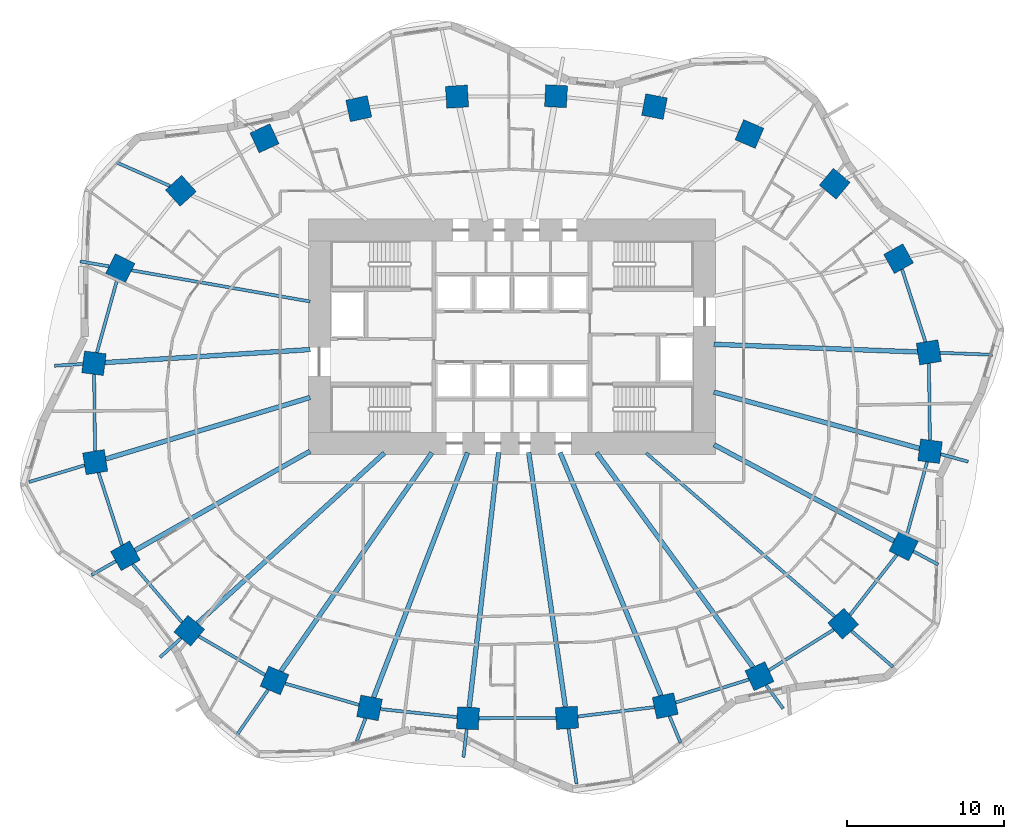
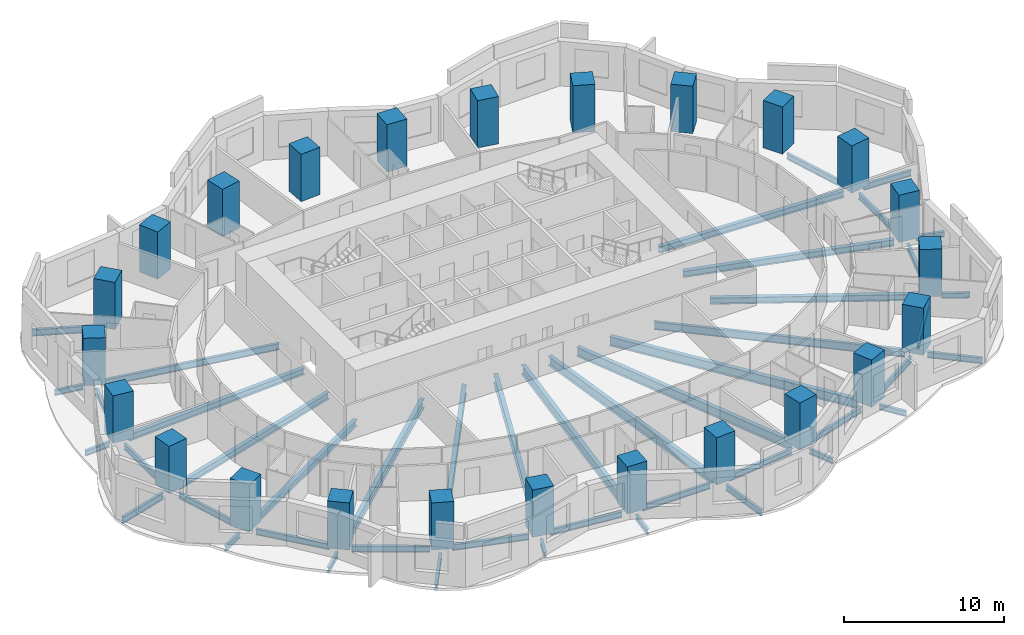
# One storey, part 1 of 11: 46 beams, 24 columns.
"""IFC4 building model written with IfcOpenShell, lengths in metres."""

from ifc_helpers import new_model, si_unit, direction, frame, origin, origin_2d, place, context, subcontext, project, spatial, rectangle, i_section, extrude, material, material_profile, profile_set, type_object, element, save


model = new_model("IFC4")

# Units and contexts
model_context = context("Model", 3, precision=1e-05, world=origin(), true_north=direction((0.0, 1.0)))
body_context = subcontext(model_context, "Body", "Model", "MODEL_VIEW")
ifc_project = project(units=[si_unit("LENGTHUNIT", "METRE"), si_unit("AREAUNIT", "SQUARE_METRE"), si_unit("VOLUMEUNIT", "CUBIC_METRE"), si_unit("PLANEANGLEUNIT", "RADIAN"), si_unit("MASSUNIT", "GRAM", prefix="KILO")], contexts=[model_context])

# Site, building, storey
site_placement = place(None, origin())
site = spatial("IfcSite", under=ifc_project, at=site_placement, CompositionType="ELEMENT")
building_placement = place(site_placement, origin())
building = spatial("IfcBuilding", under=site, at=building_placement, Name="Rubra Terraces Tower", CompositionType="ELEMENT")
storey_placement = place(building_placement, frame((0.0, 0.0, 37.5)))
storey = spatial("IfcBuildingStorey", under=building, at=storey_placement, Name="L06", CompositionType="ELEMENT", Elevation=37.5)

# Columns
ifc_material_1 = material(Name="Concrete C60", Category="concrete")
ifc_material_profile_1 = material_profile(ifc_material_1, rectangle(XDim=1.39990234375, YDim=1.39990234375, at=origin_2d()), Name="RC 1400x1400")
ifc_profile_set_1 = profile_set([ifc_material_profile_1], Name="Concrete C60")
column_type = type_object("IfcColumnType", Name="RING COLUMN RC 1400x1400 C60", PredefinedType="COLUMN", material=ifc_profile_set_1)
for number, where, z_axis, x_axis, name in (
    (1, (26.60498046875, 3.5029296875, 0.0), (0.0, 0.0, 1.0), (-0.161234051287, 0.986916197408, 0.0), "column-L06-ring-01"),
    (2, (24.676025390625, 9.48291015625, 0.0), (0.0, 0.0, 1.0), (-0.487226597714, 0.873275582208, 0.0), "column-L06-ring-02"),
    (3, (20.60009765625, 14.26611328125, 0.0), (0.0, 0.0, 1.0), (-0.767209547574, 0.641396531104, 0.0), "column-L06-ring-03"),
    (4, (15.156982421875, 17.44091796875, 0.0), (0.0, 0.0, 1.0), (-0.919293738002, 0.393572132232, 0.0), "column-L06-ring-04"),
    (5, (9.093994140625, 19.19189453125, 0.0), (0.0, 0.0, 1.0), (-0.981430410798, 0.191818530806, 0.0), "column-L06-ring-05"),
    (6, (2.81103515625, 19.85400390625, 0.0), (0.0, 0.0, 1.0), (-0.99874501614, 0.050083857035, 0.0), "column-L06-ring-06"),
    (7, (-3.509033203125, 19.823974609375, 0.0), (0.0, 0.0, 1.0), (-0.9980076013, -0.063093801177, 0.0), "column-L06-ring-07"),
    (8, (-9.780029296875, 19.05810546875, 0.0), (0.0, 0.0, 1.0), (-0.977386186482, -0.211462153764, 0.0), "column-L06-ring-08"),
    (9, (-15.799072265625, 17.1650390625, 0.0), (0.0, 0.0, 1.0), (-0.907952363445, -0.419073389413, 0.0), "column-L06-ring-09"),
    (10, (-21.135009765625, 13.81689453125, 0.0), (0.0, 0.0, 1.0), (-0.742675944539, -0.66965098477, 0.0), "column-L06-ring-10"),
    (11, (-25.0029296875, 8.865966796875, 0.0), (0.0, 0.0, 1.0), (-0.450098906028, -0.892978709036, 0.0), "column-L06-ring-11"),
    (12, (-26.68408203125, 2.80810546875, 0.0), (0.0, 0.0, 1.0), (-0.128444510405, -0.991716697322, 0.0), "column-L06-ring-12"),
    (13, (-26.60498046875, -3.5029296875, 0.0), (0.0, 0.0, 1.0), (0.161234051287, -0.986916197408, 0.0), "column-L06-ring-13"),
    (14, (-24.676025390625, -9.48291015625, 0.0), (0.0, 0.0, 1.0), (0.487226597714, -0.873275582208, 0.0), "column-L06-ring-14"),
    (15, (-20.60009765625, -14.26611328125, 0.0), (0.0, 0.0, 1.0), (0.767209547574, -0.641396531104, 0.0), "column-L06-ring-15"),
    (16, (-15.156982421875, -17.44091796875, 0.0), (0.0, 0.0, 1.0), (0.919293738002, -0.393572132232, 0.0), "column-L06-ring-16"),
    (17, (-9.093994140625, -19.19189453125, 0.0), (0.0, 0.0, 1.0), (0.981430410798, -0.191818530806, 0.0), "column-L06-ring-17"),
    (18, (-2.81103515625, -19.85400390625, 0.0), (0.0, 0.0, 1.0), (0.99874501614, -0.050083857035, 0.0), "column-L06-ring-18"),
    (19, (3.509033203125, -19.823974609375, 0.0), (0.0, 0.0, 1.0), (0.9980076013, 0.063093801177, 0.0), "column-L06-ring-19"),
    (20, (9.780029296875, -19.05810546875, 0.0), (0.0, 0.0, 1.0), (0.977386186482, 0.211462153764, 0.0), "column-L06-ring-20"),
    (21, (15.799072265625, -17.1650390625, 0.0), (0.0, 0.0, 1.0), (0.907952363445, 0.419073389413, 0.0), "column-L06-ring-21"),
    (22, (21.135009765625, -13.81689453125, 0.0), (0.0, 0.0, 1.0), (0.742675944539, 0.66965098477, 0.0), "column-L06-ring-22"),
    (23, (25.0029296875, -8.865966796875, 0.0), (0.0, 0.0, 1.0), (0.450098906028, 0.892978709036, 0.0), "column-L06-ring-23"),
    (24, (26.68408203125, -2.80810546875, 0.0), (0.0, 0.0, 1.0), (0.128444510405, 0.991716697322, 0.0), "column-L06-ring-24"),
):
    element("IfcColumn", number, at=place(storey_placement, frame(where, z_axis=z_axis, x_axis=x_axis)), inside=storey, type_object=column_type, Name=name, PredefinedType="COLUMN", context=body_context, shape_type="SweptSolid", body=[
        extrude(rectangle(XDim=1.39990234375, YDim=1.39990234375, at=origin_2d()), origin(), (0.0, 0.0, 1.0), 3.60009765625),
    ])

# Beams
ifc_material_2 = material(Name="Steel Q355B", Category="steel")
ifc_material_profile_2 = material_profile(ifc_material_2, i_section(OverallWidth=0.199951171875, OverallDepth=0.39990234375, WebThickness=0.008056640625, FlangeThickness=0.012939453125, at=origin_2d()), Name="HN 400x200x8x13")
ifc_profile_set_2 = profile_set([ifc_material_profile_2], Name="Steel Q355B")
beam_type_1 = type_object("IfcBeamType", Name="CANTILEVER BEAM HN 400x200x8x13", PredefinedType="BEAM", material=ifc_profile_set_2)
beam_1_placement = place(storey_placement, frame((-25.722900390625, 8.991943359375, -0.39990234375), z_axis=(-0.985091859612, 0.172029149057, 0.0), x_axis=(-0.172029149057, -0.985091859612, 0.0)))
element("IfcBeam", 25, at=beam_1_placement, inside=storey, type_object=beam_type_1, Name="beam-L06-cant-11", PredefinedType="BEAM", context=body_context, shape_type="SweptSolid", body=[
    extrude(i_section(OverallWidth=0.199951171875, OverallDepth=0.39990234375, WebThickness=0.008056640625, FlangeThickness=0.012939453125, at=origin_2d()), origin(), (0.0, 0.0, 1.0), 1.871826171875),
])
beam_2_placement = place(storey_placement, frame((-27.39599609375, 2.762939453125, -0.39990234375), z_axis=(-0.997981102524, -0.063511565909, 0.0), x_axis=(0.063511565909, -0.997981102524, 0.0)))
element("IfcBeam", 26, at=beam_2_placement, inside=storey, type_object=beam_type_1, Name="beam-L06-cant-12", PredefinedType="BEAM", context=body_context, shape_type="SweptSolid", body=[
    extrude(i_section(OverallWidth=0.199951171875, OverallDepth=0.39990234375, WebThickness=0.008056640625, FlangeThickness=0.012939453125, at=origin_2d()), origin(), (0.0, 0.0, 1.0), 1.810546875),
])
beam_3_placement = place(storey_placement, frame((-25.284912109375, -9.827880859375, -0.39990234375), z_axis=(-0.86992838688, -0.493178062873, 0.0), x_axis=(0.493178062873, -0.86992838688, 0.0)))
element("IfcBeam", 27, at=beam_3_placement, inside=storey, type_object=beam_type_1, Name="beam-L06-cant-14", PredefinedType="BEAM", context=body_context, shape_type="SweptSolid", body=[
    extrude(i_section(OverallWidth=0.199951171875, OverallDepth=0.39990234375, WebThickness=0.008056640625, FlangeThickness=0.012939453125, at=origin_2d()), origin(), (0.0, 0.0, 1.0), 1.78662109375),
])
beam_4_placement = place(storey_placement, frame((-21.1220703125, -14.741943359375, -0.39990234375), z_axis=(-0.739575224106, -0.673073909677, 0.0), x_axis=(0.673073909677, -0.739575224106, 0.0)))
element("IfcBeam", 28, at=beam_4_placement, inside=storey, type_object=beam_type_1, Name="beam-L06-cant-15", PredefinedType="BEAM", context=body_context, shape_type="SweptSolid", body=[
    extrude(i_section(OverallWidth=0.199951171875, OverallDepth=0.39990234375, WebThickness=0.008056640625, FlangeThickness=0.012939453125, at=origin_2d()), origin(), (0.0, 0.0, 1.0), 1.817138671875),
])
beam_5_placement = place(storey_placement, frame((-9.34912109375, -19.85498046875, -0.39990234375), z_axis=(-0.357892993059, -0.933762606619, 0.0), x_axis=(0.933762606619, -0.357892993059, 0.0)))
element("IfcBeam", 29, at=beam_5_placement, inside=storey, type_object=beam_type_1, Name="beam-L06-cant-17", PredefinedType="BEAM", context=body_context, shape_type="SweptSolid", body=[
    extrude(i_section(OverallWidth=0.199951171875, OverallDepth=0.39990234375, WebThickness=0.008056640625, FlangeThickness=0.012939453125, at=origin_2d()), origin(), (0.0, 0.0, 1.0), 1.56689453125),
])
beam_6_placement = place(storey_placement, frame((-2.89111328125, -20.551025390625, -0.39990234375), z_axis=(-0.114572764889, -0.99341485873, 0.0), x_axis=(0.99341485873, -0.114572764889, 0.0)))
element("IfcBeam", 30, at=beam_6_placement, inside=storey, type_object=beam_type_1, Name="beam-L06-cant-18", PredefinedType="BEAM", context=body_context, shape_type="SweptSolid", body=[
    extrude(i_section(OverallWidth=0.199951171875, OverallDepth=0.39990234375, WebThickness=0.008056640625, FlangeThickness=0.012939453125, at=origin_2d()), origin(), (0.0, 0.0, 1.0), 1.804931640625),
])
beam_7_placement = place(storey_placement, frame((10.052978515625, -19.715087890625, -0.39990234375), z_axis=(0.383493077266, -0.923543750826, 0.0), x_axis=(0.923543750826, 0.383493077266, 0.0)))
element("IfcBeam", 31, at=beam_7_placement, inside=storey, type_object=beam_type_1, Name="beam-L06-cant-20", PredefinedType="BEAM", context=body_context, shape_type="SweptSolid", body=[
    extrude(i_section(OverallWidth=0.199951171875, OverallDepth=0.39990234375, WebThickness=0.008056640625, FlangeThickness=0.012939453125, at=origin_2d()), origin(), (0.0, 0.0, 1.0), 1.838623046875),
])
beam_8_placement = place(storey_placement, frame((16.219970703125, -17.741943359375, -0.39990234375), z_axis=(0.589263865816, -0.80794065156, 0.0), x_axis=(0.80794065156, 0.589263865816, 0.0)))
element("IfcBeam", 32, at=beam_8_placement, inside=storey, type_object=beam_type_1, Name="beam-L06-cant-21", PredefinedType="BEAM", context=body_context, shape_type="SweptSolid", body=[
    extrude(i_section(OverallWidth=0.199951171875, OverallDepth=0.39990234375, WebThickness=0.008056640625, FlangeThickness=0.012939453125, at=origin_2d()), origin(), (0.0, 0.0, 1.0), 1.8466796875),
])
beam_9_placement = place(storey_placement, frame((25.62109375, -9.196044921875, -0.39990234375), z_axis=(0.881782002716, -0.471657184495, 0.0), x_axis=(0.471657184495, 0.881782002716, 0.0)))
element("IfcBeam", 33, at=beam_9_placement, inside=storey, type_object=beam_type_1, Name="beam-L06-cant-23", PredefinedType="BEAM", context=body_context, shape_type="SweptSolid", body=[
    extrude(i_section(OverallWidth=0.199951171875, OverallDepth=0.39990234375, WebThickness=0.008056640625, FlangeThickness=0.012939453125, at=origin_2d()), origin(), (0.0, 0.0, 1.0), 1.789306640625),
])
beam_10_placement = place(storey_placement, frame((27.365966796875, -2.9951171875, -0.39990234375), z_axis=(0.964481687863, -0.264149718489, 0.0), x_axis=(0.264149718489, 0.964481687863, 0.0)))
element("IfcBeam", 34, at=beam_10_placement, inside=storey, type_object=beam_type_1, Name="beam-L06-cant-24", PredefinedType="BEAM", context=body_context, shape_type="SweptSolid", body=[
    extrude(i_section(OverallWidth=0.199951171875, OverallDepth=0.39990234375, WebThickness=0.008056640625, FlangeThickness=0.012939453125, at=origin_2d()), origin(), (0.0, 0.0, 1.0), 1.82080078125),
])
ifc_material_profile_3 = material_profile(ifc_material_2, i_section(OverallWidth=0.198974609375, OverallDepth=0.446044921875, WebThickness=0.008056640625, FlangeThickness=0.011962890625, at=origin_2d()), Name="HN 446x199x8x12")
ifc_profile_set_3 = profile_set([ifc_material_profile_3], Name="Steel Q355B")
beam_type_2 = type_object("IfcBeamType", Name="CANTILEVER BEAM HN 446x199x8x12", PredefinedType="BEAM", material=ifc_profile_set_3)
beam_11_placement = place(storey_placement, frame((27.319091796875, 3.47607421875, -0.423095703125), z_axis=(0.999296185765, -0.037511773014, 0.0), x_axis=(0.037511773014, 0.999296185765, 0.0)))
element("IfcBeam", 35, at=beam_11_placement, inside=storey, type_object=beam_type_2, Name="beam-L06-cant-01", PredefinedType="BEAM", context=body_context, shape_type="SweptSolid", body=[
    extrude(i_section(OverallWidth=0.198974609375, OverallDepth=0.446044921875, WebThickness=0.008056640625, FlangeThickness=0.011962890625, at=origin_2d()), origin(), (0.0, 0.0, 1.0), 3.3583984375),
])
beam_12_placement = place(storey_placement, frame((-15.56298828125, -18.029052734375, -0.423095703125), z_axis=(-0.568398748682, -0.822753220897, 0.0), x_axis=(0.822753220897, -0.568398748682, 0.0)))
element("IfcBeam", 36, at=beam_12_placement, inside=storey, type_object=beam_type_2, Name="beam-L06-cant-16", PredefinedType="BEAM", context=body_context, shape_type="SweptSolid", body=[
    extrude(i_section(OverallWidth=0.198974609375, OverallDepth=0.446044921875, WebThickness=0.008056640625, FlangeThickness=0.011962890625, at=origin_2d()), origin(), (0.0, 0.0, 1.0), 3.5380859375),
])
beam_13_placement = place(storey_placement, frame((3.60888671875, -20.51904296875, -0.423095703125), z_axis=(0.142763269487, -0.98975686352, 0.0), x_axis=(0.98975686352, 0.142763269487, 0.0)))
element("IfcBeam", 37, at=beam_13_placement, inside=storey, type_object=beam_type_2, Name="beam-L06-cant-19", PredefinedType="BEAM", context=body_context, shape_type="SweptSolid", body=[
    extrude(i_section(OverallWidth=0.198974609375, OverallDepth=0.446044921875, WebThickness=0.008056640625, FlangeThickness=0.011962890625, at=origin_2d()), origin(), (0.0, 0.0, 1.0), 3.565673828125),
])
beam_14_placement = place(storey_placement, frame((21.66796875, -14.279052734375, -0.423095703125), z_axis=(0.755677597863, -0.654943790022, 0.0), x_axis=(0.654943790022, 0.755677597863, 0.0)))
element("IfcBeam", 38, at=beam_14_placement, inside=storey, type_object=beam_type_2, Name="beam-L06-cant-22", PredefinedType="BEAM", context=body_context, shape_type="SweptSolid", body=[
    extrude(i_section(OverallWidth=0.198974609375, OverallDepth=0.446044921875, WebThickness=0.008056640625, FlangeThickness=0.011962890625, at=origin_2d()), origin(), (0.0, 0.0, 1.0), 3.507080078125),
])
ifc_material_profile_4 = material_profile(ifc_material_2, i_section(OverallWidth=0.198974609375, OverallDepth=0.49609375, WebThickness=0.009033203125, FlangeThickness=0.013916015625, at=origin_2d()), Name="HN 496x199x9x14")
ifc_profile_set_4 = profile_set([ifc_material_profile_4], Name="Steel Q355B")
beam_type_3 = type_object("IfcBeamType", Name="CANTILEVER BEAM HN 496x199x9x14", PredefinedType="BEAM", material=ifc_profile_set_4)
beam_15_placement = place(storey_placement, frame((-21.8369140625, 14.1259765625, -0.447998046875), z_axis=(-0.914957406793, 0.403550422816, 0.0), x_axis=(-0.403550422816, -0.914957406793, 0.0)))
element("IfcBeam", 39, at=beam_15_placement, inside=storey, type_object=beam_type_3, Name="beam-L06-cant-10", PredefinedType="BEAM", context=body_context, shape_type="SweptSolid", body=[
    extrude(i_section(OverallWidth=0.198974609375, OverallDepth=0.49609375, WebThickness=0.009033203125, FlangeThickness=0.013916015625, at=origin_2d()), origin(), (0.0, 0.0, 1.0), 3.949951171875),
])
beam_16_placement = place(storey_placement, frame((-27.281005859375, -3.7060546875, -0.447998046875), z_axis=(-0.957593698742, -0.28812203687, 0.0), x_axis=(0.28812203687, -0.957593698742, 0.0)))
element("IfcBeam", 40, at=beam_16_placement, inside=storey, type_object=beam_type_3, Name="beam-L06-cant-13", PredefinedType="BEAM", context=body_context, shape_type="SweptSolid", body=[
    extrude(i_section(OverallWidth=0.198974609375, OverallDepth=0.49609375, WebThickness=0.009033203125, FlangeThickness=0.013916015625, at=origin_2d()), origin(), (0.0, 0.0, 1.0), 3.702880859375),
])
ifc_material_profile_5 = material_profile(ifc_material_2, i_section(OverallWidth=0.300048828125, OverallDepth=0.48193359375, WebThickness=0.010986328125, FlangeThickness=0.014892578125, at=origin_2d()), Name="HM 482x300x11x15")
ifc_profile_set_5 = profile_set([ifc_material_profile_5], Name="Steel Q355B")
beam_type_4 = type_object("IfcBeamType", Name="FLOOR BEAM HM 482x300x11x15", PredefinedType="BEAM", material=ifc_profile_set_5)
beam_17_placement = place(storey_placement, frame((25.89111328125, 3.530029296875, -0.44091796875), z_axis=(-0.999300088658, 0.037407657088, 0.0), x_axis=(-0.037407657088, -0.999300088658, 0.0)))
element("IfcBeam", 41, at=beam_17_placement, inside=storey, type_object=beam_type_4, Name="beam-L06-floor-01", PredefinedType="BEAM", context=body_context, shape_type="SweptSolid", body=[
    extrude(i_section(OverallWidth=0.300048828125, OverallDepth=0.48193359375, WebThickness=0.010986328125, FlangeThickness=0.014892578125, at=origin_2d()), origin(), (0.0, 0.0, 1.0), 13.020263671875),
])
beam_18_placement = place(storey_placement, frame((-25.971923828125, 2.85302734375, -0.44091796875), z_axis=(0.997996052936, 0.06327620662, 0.0), x_axis=(-0.06327620662, 0.997996052936, 0.0)))
element("IfcBeam", 42, at=beam_18_placement, inside=storey, type_object=beam_type_4, Name="beam-L06-floor-12", PredefinedType="BEAM", context=body_context, shape_type="SweptSolid", body=[
    extrude(i_section(OverallWidth=0.300048828125, OverallDepth=0.48193359375, WebThickness=0.010986328125, FlangeThickness=0.014892578125, at=origin_2d()), origin(), (0.0, 0.0, 1.0), 13.118408203125),
])
beam_19_placement = place(storey_placement, frame((-25.928955078125, -3.300048828125, -0.44091796875), z_axis=(0.957605991861, 0.288081176671, 0.0), x_axis=(-0.288081176671, 0.957605991861, 0.0)))
element("IfcBeam", 43, at=beam_19_placement, inside=storey, type_object=beam_type_4, Name="beam-L06-floor-13", PredefinedType="BEAM", context=body_context, shape_type="SweptSolid", body=[
    extrude(i_section(OverallWidth=0.300048828125, OverallDepth=0.48193359375, WebThickness=0.010986328125, FlangeThickness=0.014892578125, at=origin_2d()), origin(), (0.0, 0.0, 1.0), 13.621337890625),
])
beam_20_placement = place(storey_placement, frame((-24.06689453125, -9.137939453125, -0.44091796875), z_axis=(0.869992824144, 0.493064383157, 0.0), x_axis=(-0.493064383157, 0.869992824144, 0.0)))
element("IfcBeam", 44, at=beam_20_placement, inside=storey, type_object=beam_type_4, Name="beam-L06-floor-14", PredefinedType="BEAM", context=body_context, shape_type="SweptSolid", body=[
    extrude(i_section(OverallWidth=0.300048828125, OverallDepth=0.48193359375, WebThickness=0.010986328125, FlangeThickness=0.014892578125, at=origin_2d()), origin(), (0.0, 0.0, 1.0), 12.84033203125),
])
beam_21_placement = place(storey_placement, frame((24.385009765625, -8.535888671875, -0.44091796875), z_axis=(-0.881896613876, 0.471442851716, 0.0), x_axis=(-0.471442851716, -0.881896613876, 0.0)))
element("IfcBeam", 45, at=beam_21_placement, inside=storey, type_object=beam_type_4, Name="beam-L06-floor-23", PredefinedType="BEAM", context=body_context, shape_type="SweptSolid", body=[
    extrude(i_section(OverallWidth=0.300048828125, OverallDepth=0.48193359375, WebThickness=0.010986328125, FlangeThickness=0.014892578125, at=origin_2d()), origin(), (0.0, 0.0, 1.0), 13.02978515625),
])
beam_22_placement = place(storey_placement, frame((26.001953125, -2.62109375, -0.44091796875), z_axis=(-0.964494059772, 0.264104541167, 0.0), x_axis=(-0.264104541167, -0.964494059772, 0.0)))
element("IfcBeam", 46, at=beam_22_placement, inside=storey, type_object=beam_type_4, Name="beam-L06-floor-24", PredefinedType="BEAM", context=body_context, shape_type="SweptSolid", body=[
    extrude(i_section(OverallWidth=0.300048828125, OverallDepth=0.48193359375, WebThickness=0.010986328125, FlangeThickness=0.014892578125, at=origin_2d()), origin(), (0.0, 0.0, 1.0), 13.600830078125),
])
ifc_material_profile_6 = material_profile(ifc_material_2, i_section(OverallWidth=0.198974609375, OverallDepth=0.49609375, WebThickness=0.009033203125, FlangeThickness=0.013916015625, at=origin_2d()), Name="HN 496x199x9x14")
ifc_profile_set_6 = profile_set([ifc_material_profile_6], Name="Steel Q355B")
beam_type_5 = type_object("IfcBeamType", Name="FLOOR BEAM HN 496x199x9x14", PredefinedType="BEAM", material=ifc_profile_set_6)
beam_23_placement = place(storey_placement, frame((-24.282958984375, 8.739990234375, -0.447998046875), z_axis=(0.985091834527, -0.172029292701, 0.0), x_axis=(0.172029292701, 0.985091834527, 0.0)))
element("IfcBeam", 47, at=beam_23_placement, inside=storey, type_object=beam_type_5, Name="beam-L06-floor-11", PredefinedType="BEAM", context=body_context, shape_type="SweptSolid", body=[
    extrude(i_section(OverallWidth=0.198974609375, OverallDepth=0.49609375, WebThickness=0.009033203125, FlangeThickness=0.013916015625, at=origin_2d()), origin(), (0.0, 0.0, 1.0), 11.573486328125),
])
ifc_material_profile_7 = material_profile(ifc_material_2, i_section(OverallWidth=0.198974609375, OverallDepth=0.595947265625, WebThickness=0.010009765625, FlangeThickness=0.014892578125, at=origin_2d()), Name="HN 596x199x10x15")
ifc_profile_set_7 = profile_set([ifc_material_profile_7], Name="Steel Q355B")
beam_type_6 = type_object("IfcBeamType", Name="FLOOR BEAM HN 596x199x10x15", PredefinedType="BEAM", material=ifc_profile_set_7)
beam_24_placement = place(storey_placement, frame((20.60205078125, -13.35498046875, -0.498046875), z_axis=(-0.755682003913, 0.654938706263, 0.0), x_axis=(-0.654938706263, -0.755682003913, 0.0)))
element("IfcBeam", 48, at=beam_24_placement, inside=storey, type_object=beam_type_6, Name="beam-L06-floor-22", PredefinedType="BEAM", context=body_context, shape_type="SweptSolid", body=[
    extrude(i_section(OverallWidth=0.198974609375, OverallDepth=0.595947265625, WebThickness=0.010009765625, FlangeThickness=0.014892578125, at=origin_2d()), origin(), (0.0, 0.0, 1.0), 15.931396484375),
])
ifc_material_profile_8 = material_profile(ifc_material_2, i_section(OverallWidth=0.300048828125, OverallDepth=0.699951171875, WebThickness=0.012939453125, FlangeThickness=0.02392578125, at=origin_2d()), Name="HN 700x300x13x24")
ifc_profile_set_8 = profile_set([ifc_material_profile_8], Name="Steel Q355B")
beam_type_7 = type_object("IfcBeamType", Name="FLOOR BEAM HN 700x300x13x24", PredefinedType="BEAM", material=ifc_profile_set_8)
beam_25_placement = place(storey_placement, frame((-20.077880859375, -13.7900390625, -0.550048828125), z_axis=(0.739256734846, 0.673423700195, 0.0), x_axis=(-0.673423700195, 0.739256734846, 0.0)))
element("IfcBeam", 49, at=beam_25_placement, inside=storey, type_object=beam_type_7, Name="beam-L06-floor-15", PredefinedType="BEAM", context=body_context, shape_type="SweptSolid", body=[
    extrude(i_section(OverallWidth=0.300048828125, OverallDepth=0.699951171875, WebThickness=0.012939453125, FlangeThickness=0.02392578125, at=origin_2d()), origin(), (0.0, 0.0, 1.0), 16.14306640625),
])
beam_26_placement = place(storey_placement, frame((-14.7509765625, -16.85302734375, -0.550048828125), z_axis=(0.568362941886, 0.822777956858, 0.0), x_axis=(-0.822777956858, 0.568362941886, 0.0)))
element("IfcBeam", 50, at=beam_26_placement, inside=storey, type_object=beam_type_7, Name="beam-L06-floor-16", PredefinedType="BEAM", context=body_context, shape_type="SweptSolid", body=[
    extrude(i_section(OverallWidth=0.300048828125, OverallDepth=0.699951171875, WebThickness=0.012939453125, FlangeThickness=0.02392578125, at=origin_2d()), origin(), (0.0, 0.0, 1.0), 16.957275390625),
])
beam_27_placement = place(storey_placement, frame((-8.839111328125, -18.529052734375, -0.550048828125), z_axis=(0.358321803184, 0.933598139117, 0.0), x_axis=(-0.933598139117, 0.358321803184, 0.0)))
element("IfcBeam", 51, at=beam_27_placement, inside=storey, type_object=beam_type_7, Name="beam-L06-floor-17", PredefinedType="BEAM", context=body_context, shape_type="SweptSolid", body=[
    extrude(i_section(OverallWidth=0.300048828125, OverallDepth=0.699951171875, WebThickness=0.012939453125, FlangeThickness=0.02392578125, at=origin_2d()), origin(), (0.0, 0.0, 1.0), 16.753662109375),
])
beam_28_placement = place(storey_placement, frame((-2.73095703125, -19.156982421875, -0.550048828125), z_axis=(0.114679535872, 0.993402538779, 0.0), x_axis=(-0.993402538779, 0.114679535872, 0.0)))
element("IfcBeam", 52, at=beam_28_placement, inside=storey, type_object=beam_type_7, Name="beam-L06-floor-18", PredefinedType="BEAM", context=body_context, shape_type="SweptSolid", body=[
    extrude(i_section(OverallWidth=0.300048828125, OverallDepth=0.699951171875, WebThickness=0.012939453125, FlangeThickness=0.02392578125, at=origin_2d()), origin(), (0.0, 0.0, 1.0), 16.384033203125),
])
beam_29_placement = place(storey_placement, frame((3.408935546875, -19.12890625, -0.550048828125), z_axis=(-0.142787075711, 0.9897534294, 0.0), x_axis=(-0.9897534294, -0.142787075711, 0.0)))
element("IfcBeam", 53, at=beam_29_placement, inside=storey, type_object=beam_type_7, Name="beam-L06-floor-19", PredefinedType="BEAM", context=body_context, shape_type="SweptSolid", body=[
    extrude(i_section(OverallWidth=0.300048828125, OverallDepth=0.699951171875, WebThickness=0.012939453125, FlangeThickness=0.02392578125, at=origin_2d()), origin(), (0.0, 0.0, 1.0), 16.416015625),
])
beam_30_placement = place(storey_placement, frame((9.507080078125, -18.40087890625, -0.550048828125), z_axis=(-0.383379543301, 0.923590886582, 0.0), x_axis=(-0.923590886582, -0.383379543301, 0.0)))
element("IfcBeam", 54, at=beam_30_placement, inside=storey, type_object=beam_type_7, Name="beam-L06-floor-20", PredefinedType="BEAM", context=body_context, shape_type="SweptSolid", body=[
    extrude(i_section(OverallWidth=0.300048828125, OverallDepth=0.699951171875, WebThickness=0.012939453125, FlangeThickness=0.02392578125, at=origin_2d()), origin(), (0.0, 0.0, 1.0), 16.795166015625),
])
beam_31_placement = place(storey_placement, frame((15.3779296875, -16.587890625, -0.550048828125), z_axis=(-0.58919117553, 0.807993662523, 0.0), x_axis=(-0.807993662523, -0.58919117553, 0.0)))
element("IfcBeam", 55, at=beam_31_placement, inside=storey, type_object=beam_type_7, Name="beam-L06-floor-21", PredefinedType="BEAM", context=body_context, shape_type="SweptSolid", body=[
    extrude(i_section(OverallWidth=0.300048828125, OverallDepth=0.699951171875, WebThickness=0.012939453125, FlangeThickness=0.02392578125, at=origin_2d()), origin(), (0.0, 0.0, 1.0), 16.936767578125),
])
ifc_material_profile_9 = material_profile(ifc_material_2, i_section(OverallWidth=0.198974609375, OverallDepth=0.446044921875, WebThickness=0.008056640625, FlangeThickness=0.011962890625, at=origin_2d()), Name="HN 446x199x8x12")
ifc_profile_set_9 = profile_set([ifc_material_profile_9], Name="Steel Q355B")
beam_type_8 = type_object("IfcBeamType", Name="SPANDREL BEAM HN 446x199x8x12", PredefinedType="SPANDREL", material=ifc_profile_set_9)
beam_32_placement = place(storey_placement, frame((26.387939453125, 4.177001953125, -0.423095703125), z_axis=(-0.30706880261, 0.951687317591, 0.0), x_axis=(-0.951687317591, -0.30706880261, 0.0)))
element("IfcBeam", 56, at=beam_32_placement, inside=storey, type_object=beam_type_8, Name="beam-L06-spandrel-01", PredefinedType="SPANDREL", context=body_context, shape_type="SweptSolid", body=[
    extrude(i_section(OverallWidth=0.198974609375, OverallDepth=0.446044921875, WebThickness=0.008056640625, FlangeThickness=0.011962890625, at=origin_2d()), origin(), (0.0, 0.0, 1.0), 4.86181640625),
])
beam_33_placement = place(storey_placement, frame((-25.194091796875, 8.177978515625, -0.423095703125), z_axis=(-0.267364386726, -0.96359549849, 0.0), x_axis=(0.96359549849, -0.267364386726, 0.0)))
element("IfcBeam", 57, at=beam_33_placement, inside=storey, type_object=beam_type_8, Name="beam-L06-spandrel-11", PredefinedType="SPANDREL", context=body_context, shape_type="SweptSolid", body=[
    extrude(i_section(OverallWidth=0.198974609375, OverallDepth=0.446044921875, WebThickness=0.008056640625, FlangeThickness=0.011962890625, at=origin_2d()), origin(), (0.0, 0.0, 1.0), 4.8662109375),
])
beam_34_placement = place(storey_placement, frame((-26.675048828125, 2.10107421875, -0.423095703125), z_axis=(0.012465372298, -0.999922304228, 0.0), x_axis=(0.999922304228, 0.012465372298, 0.0)))
element("IfcBeam", 58, at=beam_34_placement, inside=storey, type_object=beam_type_8, Name="beam-L06-spandrel-12", PredefinedType="SPANDREL", context=body_context, shape_type="SweptSolid", body=[
    extrude(i_section(OverallWidth=0.198974609375, OverallDepth=0.446044921875, WebThickness=0.008056640625, FlangeThickness=0.011962890625, at=origin_2d()), origin(), (0.0, 0.0, 1.0), 4.896484375),
])
beam_35_placement = place(storey_placement, frame((-26.387939453125, -4.177001953125, -0.423095703125), z_axis=(0.30706880261, -0.951687317591, 0.0), x_axis=(0.951687317591, 0.30706880261, 0.0)))
element("IfcBeam", 59, at=beam_35_placement, inside=storey, type_object=beam_type_8, Name="beam-L06-spandrel-13", PredefinedType="SPANDREL", context=body_context, shape_type="SweptSolid", body=[
    extrude(i_section(OverallWidth=0.198974609375, OverallDepth=0.446044921875, WebThickness=0.008056640625, FlangeThickness=0.011962890625, at=origin_2d()), origin(), (0.0, 0.0, 1.0), 4.86181640625),
])
beam_36_placement = place(storey_placement, frame((-24.212890625, -10.02587890625, -0.423095703125), z_axis=(0.648447050824, -0.761259760054, 0.0), x_axis=(0.761259760054, 0.648447050824, 0.0)))
element("IfcBeam", 60, at=beam_36_placement, inside=storey, type_object=beam_type_8, Name="beam-L06-spandrel-14", PredefinedType="SPANDREL", context=body_context, shape_type="SweptSolid", body=[
    extrude(i_section(OverallWidth=0.198974609375, OverallDepth=0.446044921875, WebThickness=0.008056640625, FlangeThickness=0.011962890625, at=origin_2d()), origin(), (0.0, 0.0, 1.0), 4.860595703125),
])
beam_37_placement = place(storey_placement, frame((-19.987060546875, -14.6240234375, -0.423095703125), z_axis=(0.863806081452, -0.503824427402, 0.0), x_axis=(0.503824427402, 0.863806081452, 0.0)))
element("IfcBeam", 61, at=beam_37_placement, inside=storey, type_object=beam_type_8, Name="beam-L06-spandrel-15", PredefinedType="SPANDREL", context=body_context, shape_type="SweptSolid", body=[
    extrude(i_section(OverallWidth=0.198974609375, OverallDepth=0.446044921875, WebThickness=0.008056640625, FlangeThickness=0.011962890625, at=origin_2d()), origin(), (0.0, 0.0, 1.0), 4.886474609375),
])
beam_38_placement = place(storey_placement, frame((-14.47900390625, -17.636962890625, -0.423095703125), z_axis=(0.960743980202, -0.277436487337, 0.0), x_axis=(0.277436487337, 0.960743980202, 0.0)))
element("IfcBeam", 62, at=beam_38_placement, inside=storey, type_object=beam_type_8, Name="beam-L06-spandrel-16", PredefinedType="SPANDREL", context=body_context, shape_type="SweptSolid", body=[
    extrude(i_section(OverallWidth=0.198974609375, OverallDepth=0.446044921875, WebThickness=0.008056640625, FlangeThickness=0.011962890625, at=origin_2d()), origin(), (0.0, 0.0, 1.0), 4.90234375),
])
beam_39_placement = place(storey_placement, frame((-8.39501953125, -19.26611328125, -0.423095703125), z_axis=(0.994495375694, -0.104780473964, 0.0), x_axis=(0.104780473964, 0.994495375694, 0.0)))
element("IfcBeam", 63, at=beam_39_placement, inside=storey, type_object=beam_type_8, Name="beam-L06-spandrel-17", PredefinedType="SPANDREL", context=body_context, shape_type="SweptSolid", body=[
    extrude(i_section(OverallWidth=0.198974609375, OverallDepth=0.446044921875, WebThickness=0.008056640625, FlangeThickness=0.011962890625, at=origin_2d()), origin(), (0.0, 0.0, 1.0), 4.9140625),
])
beam_40_placement = place(storey_placement, frame((-2.110107421875, -19.85107421875, -0.423095703125), z_axis=(0.999987924698, 0.004914311469, 0.0), x_axis=(-0.004914311469, 0.999987924698, 0.0)))
element("IfcBeam", 64, at=beam_40_placement, inside=storey, type_object=beam_type_8, Name="beam-L06-spandrel-18", PredefinedType="SPANDREL", context=body_context, shape_type="SweptSolid", body=[
    extrude(i_section(OverallWidth=0.198974609375, OverallDepth=0.446044921875, WebThickness=0.008056640625, FlangeThickness=0.011962890625, at=origin_2d()), origin(), (0.0, 0.0, 1.0), 4.918212890625),
])
beam_41_placement = place(storey_placement, frame((4.205078125, -19.739013671875, -0.423095703125), z_axis=(0.992616576014, 0.12129440639, 0.0), x_axis=(-0.12129440639, 0.992616576014, 0.0)))
element("IfcBeam", 65, at=beam_41_placement, inside=storey, type_object=beam_type_8, Name="beam-L06-spandrel-19", PredefinedType="SPANDREL", context=body_context, shape_type="SweptSolid", body=[
    extrude(i_section(OverallWidth=0.198974609375, OverallDepth=0.446044921875, WebThickness=0.008056640625, FlangeThickness=0.011962890625, at=origin_2d()), origin(), (0.0, 0.0, 1.0), 4.913330078125),
])
beam_42_placement = place(storey_placement, frame((10.450927734375, -18.846923828125, -0.423095703125), z_axis=(0.953954624663, 0.299950952796, 0.0), x_axis=(-0.299950952796, 0.953954624663, 0.0)))
element("IfcBeam", 66, at=beam_42_placement, inside=storey, type_object=beam_type_8, Name="beam-L06-spandrel-20", PredefinedType="SPANDREL", context=body_context, shape_type="SweptSolid", body=[
    extrude(i_section(OverallWidth=0.198974609375, OverallDepth=0.446044921875, WebThickness=0.008056640625, FlangeThickness=0.011962890625, at=origin_2d()), origin(), (0.0, 0.0, 1.0), 4.900634765625),
])
beam_43_placement = place(storey_placement, frame((16.39697265625, -16.7900390625, -0.423095703125), z_axis=(0.847078460197, 0.531467856291, 0.0), x_axis=(-0.531467856291, 0.847078460197, 0.0)))
element("IfcBeam", 67, at=beam_43_placement, inside=storey, type_object=beam_type_8, Name="beam-L06-spandrel-21", PredefinedType="SPANDREL", context=body_context, shape_type="SweptSolid", body=[
    extrude(i_section(OverallWidth=0.198974609375, OverallDepth=0.446044921875, WebThickness=0.008056640625, FlangeThickness=0.011962890625, at=origin_2d()), origin(), (0.0, 0.0, 1.0), 4.882568359375),
])
beam_44_placement = place(storey_placement, frame((21.572998046875, -13.257080078125, -0.423095703125), z_axis=(0.615577734286, 0.788076172112, 0.0), x_axis=(-0.788076172112, 0.615577734286, 0.0)))
element("IfcBeam", 68, at=beam_44_placement, inside=storey, type_object=beam_type_8, Name="beam-L06-spandrel-22", PredefinedType="SPANDREL", context=body_context, shape_type="SweptSolid", body=[
    extrude(i_section(OverallWidth=0.198974609375, OverallDepth=0.446044921875, WebThickness=0.008056640625, FlangeThickness=0.011962890625, at=origin_2d()), origin(), (0.0, 0.0, 1.0), 4.85888671875),
])
beam_45_placement = place(storey_placement, frame((25.194091796875, -8.177978515625, -0.423095703125), z_axis=(0.267364386726, 0.96359549849, 0.0), x_axis=(-0.96359549849, 0.267364386726, 0.0)))
element("IfcBeam", 69, at=beam_45_placement, inside=storey, type_object=beam_type_8, Name="beam-L06-spandrel-23", PredefinedType="SPANDREL", context=body_context, shape_type="SweptSolid", body=[
    extrude(i_section(OverallWidth=0.198974609375, OverallDepth=0.446044921875, WebThickness=0.008056640625, FlangeThickness=0.011962890625, at=origin_2d()), origin(), (0.0, 0.0, 1.0), 4.8662109375),
])
beam_46_placement = place(storey_placement, frame((26.675048828125, -2.10107421875, -0.423095703125), z_axis=(-0.012465372298, 0.999922304228, 0.0), x_axis=(-0.999922304228, -0.012465372298, 0.0)))
element("IfcBeam", 70, at=beam_46_placement, inside=storey, type_object=beam_type_8, Name="beam-L06-spandrel-24", PredefinedType="SPANDREL", context=body_context, shape_type="SweptSolid", body=[
    extrude(i_section(OverallWidth=0.198974609375, OverallDepth=0.446044921875, WebThickness=0.008056640625, FlangeThickness=0.011962890625, at=origin_2d()), origin(), (0.0, 0.0, 1.0), 4.896484375),
])

save(model, "model.ifc")
